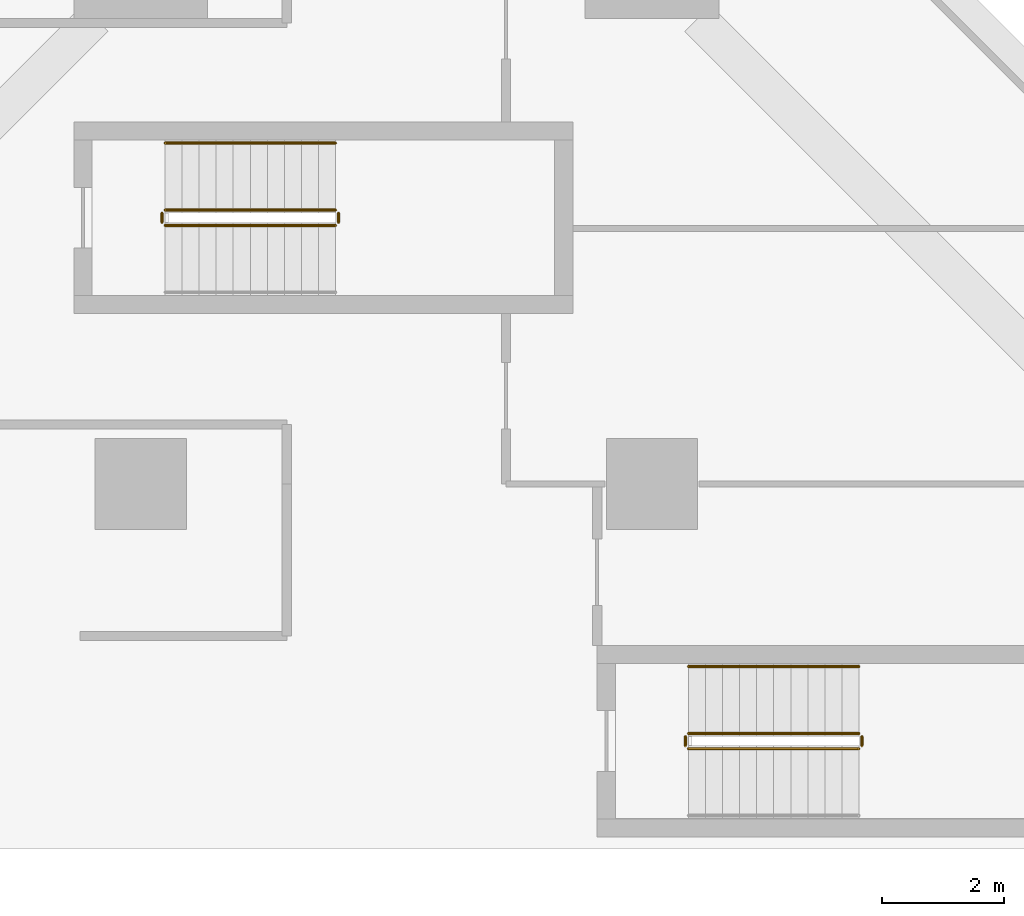
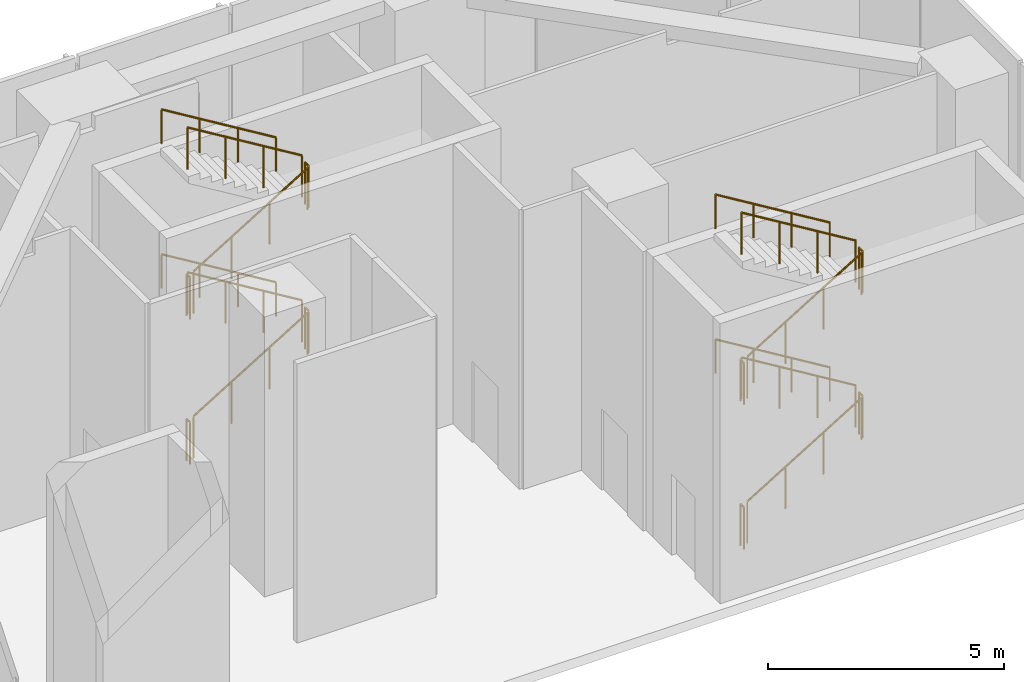
# One storey, part 22 of 22: 20 railings.
"""IFC4 building model written with IfcOpenShell, lengths in metres."""

from ifc_helpers import new_model, si_unit, direction, frame, origin, origin_2d, place, context, subcontext, project, spatial, circle, extrude, material, type_object, element, save


model = new_model("IFC4")

# Units and contexts
model_context = context("Model", 3, precision=1e-05, world=origin(), true_north=direction((0.0, 1.0)))
body_context = subcontext(model_context, "Body", "Model", "MODEL_VIEW")
ifc_project = project(units=[si_unit("LENGTHUNIT", "METRE"), si_unit("AREAUNIT", "SQUARE_METRE"), si_unit("VOLUMEUNIT", "CUBIC_METRE"), si_unit("PLANEANGLEUNIT", "RADIAN"), si_unit("MASSUNIT", "GRAM", prefix="KILO")], contexts=[model_context])

# Site, building, storey
site_placement = place(None, origin())
site = spatial("IfcSite", under=ifc_project, at=site_placement, CompositionType="ELEMENT")
building_placement = place(site_placement, origin())
building = spatial("IfcBuilding", under=site, at=building_placement, Name="Brevane Broadcast Tower", CompositionType="ELEMENT")
storey_placement = place(building_placement, frame((0.0, 0.0, 20.0)))
storey = spatial("IfcBuildingStorey", under=building, at=storey_placement, Name="L03", CompositionType="ELEMENT", Elevation=20.0)

# Railings
ifc_material = material(Name="Steel S355", Category="steel")
railing_type_1 = type_object("IfcRailingType", Name="Exit stair guard", PredefinedType="GUARDRAIL", material=ifc_material)
railing_1_placement = place(storey_placement, frame((17.39990234375, 54.449951171875, 0.17041015625)))
element("IfcRailing", 1, at=railing_1_placement, inside=storey, type_object=railing_type_1, Name="L03 ST-5 stair guard 1", PredefinedType="GUARDRAIL", context=body_context, shape_type="SweptSolid", body=[
    extrude(circle(Radius=0.02392578125, at=origin_2d()), frame((0.0, 0.0, 1.076171875), z_axis=(0.854169791009, 0.0, 0.51999420009), x_axis=(0.0, 1.0, 0.0)), (0.0, 0.0, 1.0), 3.278076171875),
    extrude(circle(Radius=0.02099609375, at=origin_2d()), origin(), (0.0, 0.0, 1.0), 1.052001953125),
    extrude(circle(Radius=0.02099609375, at=origin_2d()), frame((0.933349609375, 0.0, 0.568115234375)), (0.0, 0.0, 1.0), 1.052001953125),
    extrude(circle(Radius=0.02099609375, at=origin_2d()), frame((1.86669921875, 0.0, 1.136474609375)), (0.0, 0.0, 1.0), 1.052001953125),
    extrude(circle(Radius=0.02099609375, at=origin_2d()), frame((2.800048828125, 0.0, 1.70458984375)), (0.0, 0.0, 1.0), 1.052001953125),
])
railing_2_placement = place(storey_placement, frame((20.25, 54.5, 1.875)))
element("IfcRailing", 2, at=railing_2_placement, inside=storey, type_object=railing_type_1, Name="L03 ST-5 stair guard 2", PredefinedType="GUARDRAIL", context=body_context, shape_type="SweptSolid", body=[
    extrude(circle(Radius=0.02392578125, at=origin_2d()), frame((0.0, 0.0, 1.076171875), z_axis=(0.0, 1.0, 0.0), x_axis=(-1.0, 0.0, 0.0)), (0.0, 0.0, 1.0), 0.14990234375),
    extrude(circle(Radius=0.02099609375, at=origin_2d()), origin(), (0.0, 0.0, 1.0), 1.052001953125),
    extrude(circle(Radius=0.02099609375, at=origin_2d()), frame((0.0, 0.14990234375, 0.0)), (0.0, 0.0, 1.0), 1.052001953125),
])
railing_3_placement = place(storey_placement, frame((20.199951171875, 54.699951171875, 2.04541015625)))
element("IfcRailing", 3, at=railing_3_placement, inside=storey, type_object=railing_type_1, Name="L03 ST-5 stair guard 3", PredefinedType="GUARDRAIL", context=body_context, shape_type="SweptSolid", body=[
    extrude(circle(Radius=0.02392578125, at=origin_2d()), frame((0.0, 0.0, 1.076171875), z_axis=(-0.854169791009, 0.0, 0.51999420009), x_axis=(0.0, -1.0, 0.0)), (0.0, 0.0, 1.0), 3.278076171875),
    extrude(circle(Radius=0.02099609375, at=origin_2d()), origin(), (0.0, 0.0, 1.0), 1.052001953125),
    extrude(circle(Radius=0.02099609375, at=origin_2d()), frame((-0.933349609375, 0.0, 0.568115234375)), (0.0, 0.0, 1.0), 1.052001953125),
    extrude(circle(Radius=0.02099609375, at=origin_2d()), frame((-1.86669921875, 0.0, 1.136474609375)), (0.0, 0.0, 1.0), 1.052001953125),
    extrude(circle(Radius=0.02099609375, at=origin_2d()), frame((-2.800048828125, 0.0, 1.70458984375)), (0.0, 0.0, 1.0), 1.052001953125),
])
railing_4_placement = place(storey_placement, frame((17.35009765625, 54.5, 3.75)))
element("IfcRailing", 4, at=railing_4_placement, inside=storey, type_object=railing_type_1, Name="L03 ST-5 stair guard 4", PredefinedType="GUARDRAIL", context=body_context, shape_type="SweptSolid", body=[
    extrude(circle(Radius=0.02392578125, at=origin_2d()), frame((0.0, 0.0, 1.076171875), z_axis=(0.0, 1.0, 0.0), x_axis=(-1.0, 0.0, 0.0)), (0.0, 0.0, 1.0), 0.14990234375),
    extrude(circle(Radius=0.02099609375, at=origin_2d()), origin(), (0.0, 0.0, 1.0), 1.052001953125),
    extrude(circle(Radius=0.02099609375, at=origin_2d()), frame((0.0, 0.14990234375, 0.0)), (0.0, 0.0, 1.0), 1.052001953125),
])
railing_5_placement = place(storey_placement, frame((17.39990234375, 54.449951171875, 3.92041015625)))
element("IfcRailing", 5, at=railing_5_placement, inside=storey, type_object=railing_type_1, Name="L03 ST-5 stair guard 5", PredefinedType="GUARDRAIL", context=body_context, shape_type="SweptSolid", body=[
    extrude(circle(Radius=0.02392578125, at=origin_2d()), frame((0.0, 0.0, 1.076171875), z_axis=(0.854169791009, 0.0, 0.51999420009), x_axis=(0.0, 1.0, 0.0)), (0.0, 0.0, 1.0), 3.278076171875),
    extrude(circle(Radius=0.02099609375, at=origin_2d()), origin(), (0.0, 0.0, 1.0), 1.052001953125),
    extrude(circle(Radius=0.02099609375, at=origin_2d()), frame((0.933349609375, 0.0, 0.568115234375)), (0.0, 0.0, 1.0), 1.052001953125),
    extrude(circle(Radius=0.02099609375, at=origin_2d()), frame((1.86669921875, 0.0, 1.136474609375)), (0.0, 0.0, 1.0), 1.052001953125),
    extrude(circle(Radius=0.02099609375, at=origin_2d()), frame((2.800048828125, 0.0, 1.70458984375)), (0.0, 0.0, 1.0), 1.052001953125),
])
railing_6_placement = place(storey_placement, frame((20.25, 54.5, 5.625)))
element("IfcRailing", 6, at=railing_6_placement, inside=storey, type_object=railing_type_1, Name="L03 ST-5 stair guard 6", PredefinedType="GUARDRAIL", context=body_context, shape_type="SweptSolid", body=[
    extrude(circle(Radius=0.02392578125, at=origin_2d()), frame((0.0, 0.0, 1.076171875), z_axis=(0.0, 1.0, 0.0), x_axis=(-1.0, 0.0, 0.0)), (0.0, 0.0, 1.0), 0.14990234375),
    extrude(circle(Radius=0.02099609375, at=origin_2d()), origin(), (0.0, 0.0, 1.0), 1.052001953125),
    extrude(circle(Radius=0.02099609375, at=origin_2d()), frame((0.0, 0.14990234375, 0.0)), (0.0, 0.0, 1.0), 1.052001953125),
])
railing_7_placement = place(storey_placement, frame((20.199951171875, 54.699951171875, 5.79541015625)))
element("IfcRailing", 7, at=railing_7_placement, inside=storey, type_object=railing_type_1, Name="L03 ST-5 stair guard 7", PredefinedType="GUARDRAIL", context=body_context, shape_type="SweptSolid", body=[
    extrude(circle(Radius=0.02392578125, at=origin_2d()), frame((0.0, 0.0, 1.076171875), z_axis=(-0.854169791009, 0.0, 0.51999420009), x_axis=(0.0, -1.0, 0.0)), (0.0, 0.0, 1.0), 3.278076171875),
    extrude(circle(Radius=0.02099609375, at=origin_2d()), origin(), (0.0, 0.0, 1.0), 1.052001953125),
    extrude(circle(Radius=0.02099609375, at=origin_2d()), frame((-0.933349609375, 0.0, 0.568115234375)), (0.0, 0.0, 1.0), 1.052001953125),
    extrude(circle(Radius=0.02099609375, at=origin_2d()), frame((-1.86669921875, 0.0, 1.136474609375)), (0.0, 0.0, 1.0), 1.052001953125),
    extrude(circle(Radius=0.02099609375, at=origin_2d()), frame((-2.800048828125, 0.0, 1.70458984375)), (0.0, 0.0, 1.0), 1.052001953125),
])
railing_8_placement = place(storey_placement, frame((17.35009765625, 54.5, 0.0)))
element("IfcRailing", 8, at=railing_8_placement, inside=storey, type_object=railing_type_1, Name="L03 ST-5 stair guard 8", PredefinedType="GUARDRAIL", context=body_context, shape_type="SweptSolid", body=[
    extrude(circle(Radius=0.02392578125, at=origin_2d()), frame((0.0, 0.0, 1.076171875), z_axis=(0.0, 1.0, 0.0), x_axis=(-1.0, 0.0, 0.0)), (0.0, 0.0, 1.0), 0.14990234375),
    extrude(circle(Radius=0.02099609375, at=origin_2d()), origin(), (0.0, 0.0, 1.0), 1.052001953125),
    extrude(circle(Radius=0.02099609375, at=origin_2d()), frame((0.0, 0.14990234375, 0.0)), (0.0, 0.0, 1.0), 1.052001953125),
])
railing_9_placement = place(storey_placement, frame((8.800048828125, 63.050048828125, 0.17041015625)))
element("IfcRailing", 9, at=railing_9_placement, inside=storey, type_object=railing_type_1, Name="L03 ST-6 stair guard 1", PredefinedType="GUARDRAIL", context=body_context, shape_type="SweptSolid", body=[
    extrude(circle(Radius=0.02392578125, at=origin_2d()), frame((0.0, 0.0, 1.076171875), z_axis=(0.854169791009, 0.0, 0.51999420009), x_axis=(0.0, 1.0, 0.0)), (0.0, 0.0, 1.0), 3.278076171875),
    extrude(circle(Radius=0.02099609375, at=origin_2d()), origin(), (0.0, 0.0, 1.0), 1.052001953125),
    extrude(circle(Radius=0.02099609375, at=origin_2d()), frame((0.933349609375, 0.0, 0.568115234375)), (0.0, 0.0, 1.0), 1.052001953125),
    extrude(circle(Radius=0.02099609375, at=origin_2d()), frame((1.86669921875, 0.0, 1.136474609375)), (0.0, 0.0, 1.0), 1.052001953125),
    extrude(circle(Radius=0.02099609375, at=origin_2d()), frame((2.800048828125, 0.0, 1.70458984375)), (0.0, 0.0, 1.0), 1.052001953125),
])
railing_10_placement = place(storey_placement, frame((11.64990234375, 63.10009765625, 1.875)))
element("IfcRailing", 10, at=railing_10_placement, inside=storey, type_object=railing_type_1, Name="L03 ST-6 stair guard 2", PredefinedType="GUARDRAIL", context=body_context, shape_type="SweptSolid", body=[
    extrude(circle(Radius=0.02392578125, at=origin_2d()), frame((0.0, 0.0, 1.076171875), z_axis=(0.0, 1.0, 0.0), x_axis=(-1.0, 0.0, 0.0)), (0.0, 0.0, 1.0), 0.14990234375),
    extrude(circle(Radius=0.02099609375, at=origin_2d()), origin(), (0.0, 0.0, 1.0), 1.052001953125),
    extrude(circle(Radius=0.02099609375, at=origin_2d()), frame((0.0, 0.14990234375, 0.0)), (0.0, 0.0, 1.0), 1.052001953125),
])
railing_11_placement = place(storey_placement, frame((11.60009765625, 63.300048828125, 2.04541015625)))
element("IfcRailing", 11, at=railing_11_placement, inside=storey, type_object=railing_type_1, Name="L03 ST-6 stair guard 3", PredefinedType="GUARDRAIL", context=body_context, shape_type="SweptSolid", body=[
    extrude(circle(Radius=0.02392578125, at=origin_2d()), frame((0.0, 0.0, 1.076171875), z_axis=(-0.854169791009, 0.0, 0.51999420009), x_axis=(0.0, -1.0, 0.0)), (0.0, 0.0, 1.0), 3.278076171875),
    extrude(circle(Radius=0.02099609375, at=origin_2d()), origin(), (0.0, 0.0, 1.0), 1.052001953125),
    extrude(circle(Radius=0.02099609375, at=origin_2d()), frame((-0.933349609375, 0.0, 0.568115234375)), (0.0, 0.0, 1.0), 1.052001953125),
    extrude(circle(Radius=0.02099609375, at=origin_2d()), frame((-1.86669921875, 0.0, 1.136474609375)), (0.0, 0.0, 1.0), 1.052001953125),
    extrude(circle(Radius=0.02099609375, at=origin_2d()), frame((-2.800048828125, 0.0, 1.70458984375)), (0.0, 0.0, 1.0), 1.052001953125),
])
railing_12_placement = place(storey_placement, frame((8.75, 63.10009765625, 3.75)))
element("IfcRailing", 12, at=railing_12_placement, inside=storey, type_object=railing_type_1, Name="L03 ST-6 stair guard 4", PredefinedType="GUARDRAIL", context=body_context, shape_type="SweptSolid", body=[
    extrude(circle(Radius=0.02392578125, at=origin_2d()), frame((0.0, 0.0, 1.076171875), z_axis=(0.0, 1.0, 0.0), x_axis=(-1.0, 0.0, 0.0)), (0.0, 0.0, 1.0), 0.14990234375),
    extrude(circle(Radius=0.02099609375, at=origin_2d()), origin(), (0.0, 0.0, 1.0), 1.052001953125),
    extrude(circle(Radius=0.02099609375, at=origin_2d()), frame((0.0, 0.14990234375, 0.0)), (0.0, 0.0, 1.0), 1.052001953125),
])
railing_13_placement = place(storey_placement, frame((8.800048828125, 63.050048828125, 3.92041015625)))
element("IfcRailing", 13, at=railing_13_placement, inside=storey, type_object=railing_type_1, Name="L03 ST-6 stair guard 5", PredefinedType="GUARDRAIL", context=body_context, shape_type="SweptSolid", body=[
    extrude(circle(Radius=0.02392578125, at=origin_2d()), frame((0.0, 0.0, 1.076171875), z_axis=(0.854169791009, 0.0, 0.51999420009), x_axis=(0.0, 1.0, 0.0)), (0.0, 0.0, 1.0), 3.278076171875),
    extrude(circle(Radius=0.02099609375, at=origin_2d()), origin(), (0.0, 0.0, 1.0), 1.052001953125),
    extrude(circle(Radius=0.02099609375, at=origin_2d()), frame((0.933349609375, 0.0, 0.568115234375)), (0.0, 0.0, 1.0), 1.052001953125),
    extrude(circle(Radius=0.02099609375, at=origin_2d()), frame((1.86669921875, 0.0, 1.136474609375)), (0.0, 0.0, 1.0), 1.052001953125),
    extrude(circle(Radius=0.02099609375, at=origin_2d()), frame((2.800048828125, 0.0, 1.70458984375)), (0.0, 0.0, 1.0), 1.052001953125),
])
railing_14_placement = place(storey_placement, frame((11.64990234375, 63.10009765625, 5.625)))
element("IfcRailing", 14, at=railing_14_placement, inside=storey, type_object=railing_type_1, Name="L03 ST-6 stair guard 6", PredefinedType="GUARDRAIL", context=body_context, shape_type="SweptSolid", body=[
    extrude(circle(Radius=0.02392578125, at=origin_2d()), frame((0.0, 0.0, 1.076171875), z_axis=(0.0, 1.0, 0.0), x_axis=(-1.0, 0.0, 0.0)), (0.0, 0.0, 1.0), 0.14990234375),
    extrude(circle(Radius=0.02099609375, at=origin_2d()), origin(), (0.0, 0.0, 1.0), 1.052001953125),
    extrude(circle(Radius=0.02099609375, at=origin_2d()), frame((0.0, 0.14990234375, 0.0)), (0.0, 0.0, 1.0), 1.052001953125),
])
railing_15_placement = place(storey_placement, frame((11.60009765625, 63.300048828125, 5.79541015625)))
element("IfcRailing", 15, at=railing_15_placement, inside=storey, type_object=railing_type_1, Name="L03 ST-6 stair guard 7", PredefinedType="GUARDRAIL", context=body_context, shape_type="SweptSolid", body=[
    extrude(circle(Radius=0.02392578125, at=origin_2d()), frame((0.0, 0.0, 1.076171875), z_axis=(-0.854169791009, 0.0, 0.51999420009), x_axis=(0.0, -1.0, 0.0)), (0.0, 0.0, 1.0), 3.278076171875),
    extrude(circle(Radius=0.02099609375, at=origin_2d()), origin(), (0.0, 0.0, 1.0), 1.052001953125),
    extrude(circle(Radius=0.02099609375, at=origin_2d()), frame((-0.933349609375, 0.0, 0.568115234375)), (0.0, 0.0, 1.0), 1.052001953125),
    extrude(circle(Radius=0.02099609375, at=origin_2d()), frame((-1.86669921875, 0.0, 1.136474609375)), (0.0, 0.0, 1.0), 1.052001953125),
    extrude(circle(Radius=0.02099609375, at=origin_2d()), frame((-2.800048828125, 0.0, 1.70458984375)), (0.0, 0.0, 1.0), 1.052001953125),
])
railing_16_placement = place(storey_placement, frame((8.75, 63.10009765625, 0.0)))
element("IfcRailing", 16, at=railing_16_placement, inside=storey, type_object=railing_type_1, Name="L03 ST-6 stair guard 8", PredefinedType="GUARDRAIL", context=body_context, shape_type="SweptSolid", body=[
    extrude(circle(Radius=0.02392578125, at=origin_2d()), frame((0.0, 0.0, 1.076171875), z_axis=(0.0, 1.0, 0.0), x_axis=(-1.0, 0.0, 0.0)), (0.0, 0.0, 1.0), 0.14990234375),
    extrude(circle(Radius=0.02099609375, at=origin_2d()), origin(), (0.0, 0.0, 1.0), 1.052001953125),
    extrude(circle(Radius=0.02099609375, at=origin_2d()), frame((0.0, 0.14990234375, 0.0)), (0.0, 0.0, 1.0), 1.052001953125),
])
railing_type_2 = type_object("IfcRailingType", Name="Exit stair handrail", PredefinedType="HANDRAIL", material=ifc_material)
for number, where, name in (
    (17, (20.199951171875, 55.800048828125, 2.04541015625), "L03 ST-5 stair handrail 2"),
    (18, (20.199951171875, 55.800048828125, 5.79541015625), "L03 ST-5 stair handrail 4"),
    (19, (11.60009765625, 64.39990234375, 2.04541015625), "L03 ST-6 stair handrail 2"),
    (20, (11.60009765625, 64.39990234375, 5.79541015625), "L03 ST-6 stair handrail 4"),
):
    element("IfcRailing", number, at=place(storey_placement, frame(where)), inside=storey, type_object=railing_type_2, Name=name, PredefinedType="HANDRAIL", context=body_context, shape_type="SweptSolid", body=[
        extrude(circle(Radius=0.02392578125, at=origin_2d()), frame((0.0, 0.0, 0.8759765625), z_axis=(-0.854169791009, 0.0, 0.51999420009), x_axis=(0.0, -1.0, 0.0)), (0.0, 0.0, 1.0), 3.278076171875),
        extrude(circle(Radius=0.02099609375, at=origin_2d()), origin(), (0.0, 0.0, 1.0), 0.851806640625),
        extrude(circle(Radius=0.02099609375, at=origin_2d()), frame((-0.933349609375, 0.0, 0.568115234375)), (0.0, 0.0, 1.0), 0.851806640625),
        extrude(circle(Radius=0.02099609375, at=origin_2d()), frame((-1.86669921875, 0.0, 1.136474609375)), (0.0, 0.0, 1.0), 0.851806640625),
        extrude(circle(Radius=0.02099609375, at=origin_2d()), frame((-2.800048828125, 0.0, 1.70458984375)), (0.0, 0.0, 1.0), 0.851806640625),
    ])

save(model, "model.ifc")
